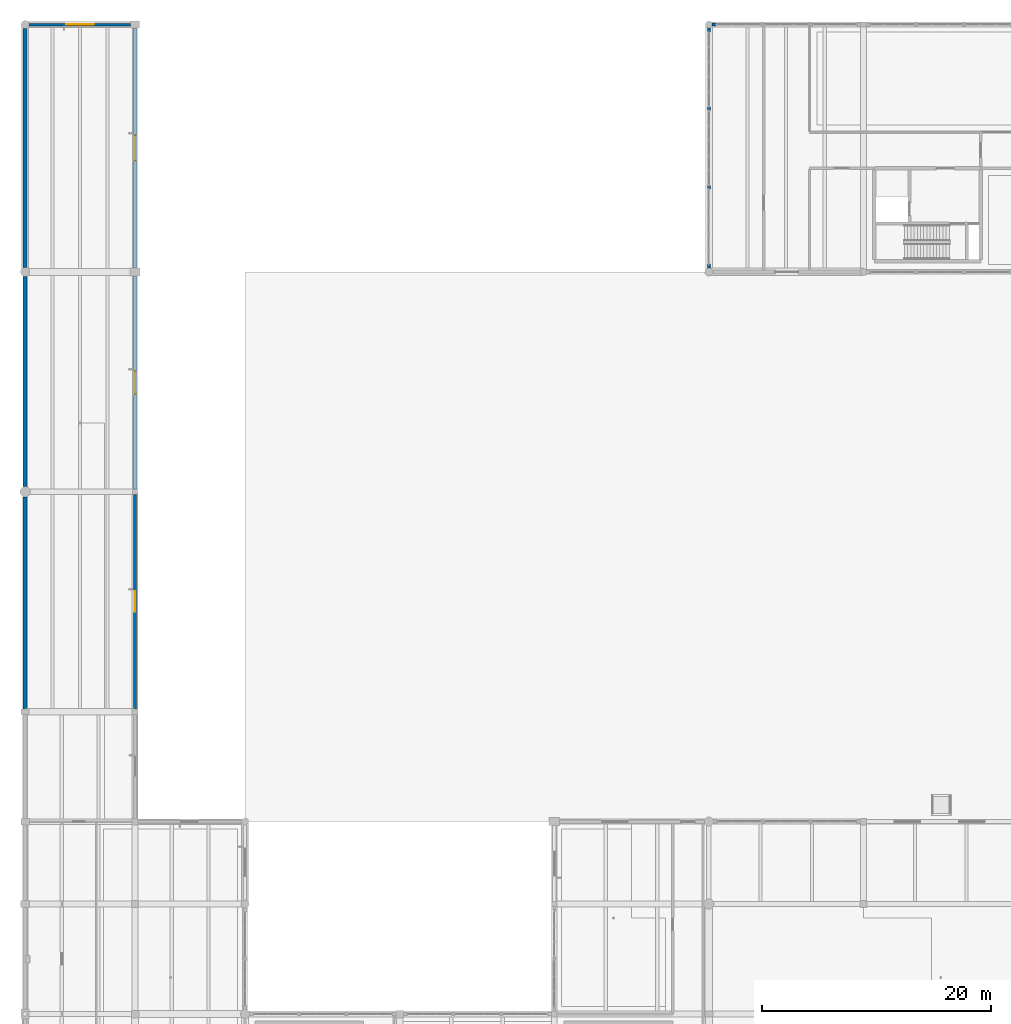
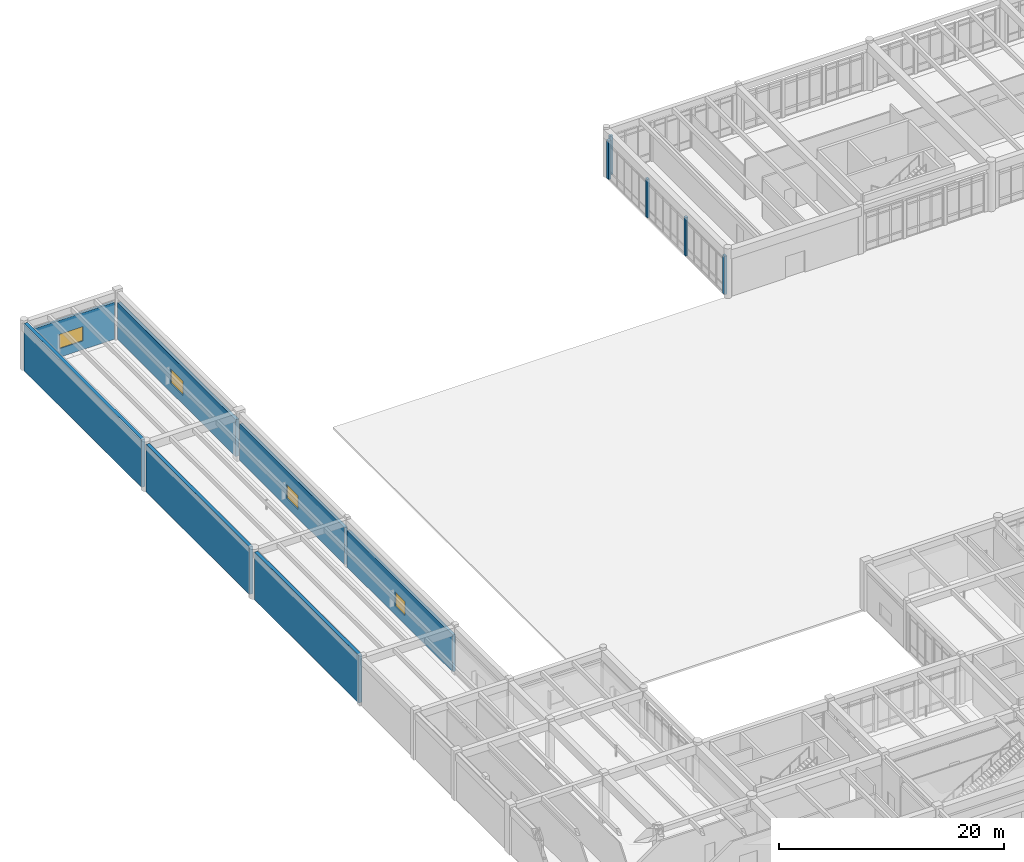
# One storey, part 112 of 138: 12 walls, 4 windows, 4 openings.
"""IFC4 building model written with IfcOpenShell, lengths in metres."""

from ifc_helpers import new_model, si_unit, direction, frame, frame_2d, origin, place, context, subcontext, project, spatial, rectangle, extrude, material, layer, layer_set, type_object, element, fill, save


model = new_model("IFC4")

# Units and contexts
model_context = context("Model", 3, precision=1e-05, world=origin(), true_north=direction((0.0, 1.0)))
body_context = subcontext(model_context, "Body", "Model", "MODEL_VIEW")
ifc_project = project(units=[si_unit("LENGTHUNIT", "METRE"), si_unit("AREAUNIT", "SQUARE_METRE"), si_unit("VOLUMEUNIT", "CUBIC_METRE"), si_unit("PLANEANGLEUNIT", "RADIAN"), si_unit("MASSUNIT", "GRAM", prefix="KILO")], contexts=[model_context])

# Site, building, storey
site_placement = place(None, origin())
site = spatial("IfcSite", under=ifc_project, at=site_placement, CompositionType="ELEMENT")
building_placement = place(site_placement, origin())
building = spatial("IfcBuilding", under=site, at=building_placement, Name="Fikremerkos Civic Library", CompositionType="ELEMENT")
storey_placement = place(building_placement, origin())
storey = spatial("IfcBuildingStorey", under=building, at=storey_placement, Name="L00", CompositionType="ELEMENT", Elevation=0.0)

# Walls
ifc_material_1 = material(Name="Concrete C40/50", Category="concrete")
ifc_layer_1 = layer(ifc_material_1, 0.35009765625, Name="Concrete C40/50")
ifc_layer_set_1 = layer_set([ifc_layer_1], Name="Concrete C40/50")
wall_type_1 = type_object("IfcWallType", Name="Exterior solid wall ESW-01 350", PredefinedType="SOLIDWALL", material=ifc_layer_set_1)
wall_1_placement = place(storey_placement, frame((0.0, 57.847900390625, 0.0), z_axis=(0.0, 0.0, 1.0), x_axis=(0.0, 1.0, 0.0)))
element("IfcWall", 1, at=wall_1_placement, inside=storey, type_object=wall_type_1, Name="Party boundary wall ESW-01 L00 #192", PredefinedType="SOLIDWALL", context=body_context, shape_type="SweptSolid", body=[
    extrude(rectangle(XDim=18.504150390625, YDim=0.35009765625, at=frame_2d((9.251953125, 0.0))), origin(), (0.0, 0.0, 1.0), 5.159912109375),
])
wall_2_placement = place(storey_placement, frame((0.0, 77.248046875, 0.0), z_axis=(0.0, 0.0, 1.0), x_axis=(0.0, 1.0, 0.0)))
element("IfcWall", 2, at=wall_2_placement, inside=storey, type_object=wall_type_1, Name="Party boundary wall ESW-01 L00 #193", PredefinedType="SOLIDWALL", context=body_context, shape_type="SweptSolid", body=[
    extrude(rectangle(XDim=18.35400390625, YDim=0.35009765625, at=frame_2d((9.177001953125, 0.0))), origin(), (0.0, 0.0, 1.0), 5.159912109375),
])
wall_3_placement = place(storey_placement, frame((0.0, 96.39794921875, 0.0), z_axis=(0.0, 0.0, 1.0), x_axis=(0.0, 1.0, 0.0)))
element("IfcWall", 3, at=wall_3_placement, inside=storey, type_object=wall_type_1, Name="Party boundary wall ESW-01 L00 #194", PredefinedType="SOLIDWALL", context=body_context, shape_type="SweptSolid", body=[
    extrude(rectangle(XDim=20.85400390625, YDim=0.35009765625, at=frame_2d((10.427001953125, 0.0))), origin(), (0.0, 0.0, 1.0), 5.159912109375),
])

# Wall, opening, window
ifc_material_2 = material(Name="Precast concrete C40/50", Category="concrete")
ifc_layer_2 = layer(ifc_material_2, 0.320068359375, Name="Precast concrete C40/50")
ifc_layer_set_2 = layer_set([ifc_layer_2], Name="Precast concrete C40/50")
wall_type_2 = type_object("IfcWallType", Name="Exterior solid wall ESW-02 320", PredefinedType="SOLIDWALL", material=ifc_layer_set_2)
wall_4_placement = place(storey_placement, frame((9.60009765625, 117.302001953125, 0.0), z_axis=(0.0, 0.0, 1.0), x_axis=(0.0, -1.0, 0.0)))
wall_4 = element("IfcWall", 4, at=wall_4_placement, inside=storey, type_object=wall_type_2, Name="Exterior solid wall ESW-02 L00 #196", PredefinedType="SOLIDWALL", context=body_context, shape_type="SweptSolid", body=[
    extrude(rectangle(XDim=20.9541015625, YDim=0.320068359375, at=frame_2d((10.47705078125, 0.0))), origin(), (0.0, 0.0, 1.0), 4.010009765625),
])
opening_1_placement = place(wall_4_placement, frame((9.376953125, 0.0, 0.949951171875)))
opening_1 = element("IfcOpeningElement", 5, at=opening_1_placement, cuts=wall_4, Name="Opening CWND-02", PredefinedType="OPENING", context=body_context, shape_type="SweptSolid", body=[
    extrude(rectangle(XDim=2.199951171875, YDim=1.550048828125, at=frame_2d((1.10009765625, 0.77490234375))), frame((0.0, 0.169921875, 0.0), z_axis=(0.0, -1.0, 0.0), x_axis=(1.0, 0.0, 0.0)), (0.0, 0.0, 1.0), 0.340087890625),
])
ifc_material_3 = material(Name="Solar control double glazing", Category="glass")
window_type_1 = type_object("IfcWindowType", Name="Courtyard window CWND-02 2200x1550", PartitioningType="SINGLE_PANEL", PredefinedType="WINDOW", material=ifc_material_3)
window_1_placement = place(opening_1_placement, origin())
window_1 = element("IfcWindow", 6, at=window_1_placement, inside=storey, type_object=window_type_1, Name="Courtyard window CWND-02 L00 #2", OverallHeight=1.550048828125, OverallWidth=2.199951171875, PartitioningType="SINGLE_PANEL", PredefinedType="WINDOW", context=body_context, shape_type="SweptSolid", body=[
    extrude(rectangle(XDim=2.199951171875, YDim=1.550048828125, at=frame_2d((1.10009765625, 0.77490234375))), frame((0.0, 0.032470703125, 0.0), z_axis=(0.0, -1.0, 0.0), x_axis=(1.0, 0.0, 0.0)), (0.0, 0.0, 1.0), 0.06494140625),
])
fill(opening_1, window_1)

ifc_layer_3 = layer(ifc_material_2, 0.300048828125, Name="Precast concrete C40/50")
ifc_layer_set_3 = layer_set([ifc_layer_3], Name="Precast concrete C40/50")
wall_type_3 = type_object("IfcWallType", Name="Exterior solid wall ESW-03 300", PredefinedType="SOLIDWALL", material=ifc_layer_set_3)
wall_5_placement = place(storey_placement, frame((9.60009765625, 95.652099609375, 0.0), z_axis=(0.0, 0.0, 1.0), x_axis=(0.0, -1.0, 0.0)))
wall_5 = element("IfcWall", 7, at=wall_5_placement, inside=storey, type_object=wall_type_3, Name="Exterior solid wall ESW-03 L00 #197", PredefinedType="SOLIDWALL", context=body_context, shape_type="SweptSolid", body=[
    extrude(rectangle(XDim=18.629150390625, YDim=0.300048828125, at=frame_2d((9.314453125, 0.0))), origin(), (0.0, 0.0, 1.0), 4.010009765625),
])
opening_2_placement = place(wall_5_placement, frame((8.314453125, 0.0, 0.949951171875)))
opening_2 = element("IfcOpeningElement", 8, at=opening_2_placement, cuts=wall_5, Name="Opening CWND-03", PredefinedType="OPENING", context=body_context, shape_type="SweptSolid", body=[
    extrude(rectangle(XDim=2.0, YDim=1.550048828125, at=frame_2d((1.0, 0.77490234375))), frame((0.0, 0.159912109375, 0.0), z_axis=(0.0, -1.0, 0.0), x_axis=(1.0, 0.0, 0.0)), (0.0, 0.0, 1.0), 0.320068359375),
])
window_type_2 = type_object("IfcWindowType", Name="Courtyard window CWND-03 2000x1550", PartitioningType="SINGLE_PANEL", PredefinedType="WINDOW", material=ifc_material_3)
window_2_placement = place(opening_2_placement, origin())
window_2 = element("IfcWindow", 9, at=window_2_placement, inside=storey, type_object=window_type_2, Name="Courtyard window CWND-03 L00 #3", OverallHeight=1.550048828125, OverallWidth=2.0, PartitioningType="SINGLE_PANEL", PredefinedType="WINDOW", context=body_context, shape_type="SweptSolid", body=[
    extrude(rectangle(XDim=2.0, YDim=1.550048828125, at=frame_2d((1.0, 0.77490234375))), frame((0.0, 0.032470703125, 0.0), z_axis=(0.0, -1.0, 0.0), x_axis=(1.0, 0.0, 0.0)), (0.0, 0.0, 1.0), 0.06494140625),
])
fill(opening_2, window_2)

ifc_layer_4 = layer(ifc_material_2, 0.280029296875, Name="Precast concrete C40/50")
ifc_layer_set_4 = layer_set([ifc_layer_4], Name="Precast concrete C40/50")
wall_type_4 = type_object("IfcWallType", Name="Exterior solid wall ESW-04 280", PredefinedType="SOLIDWALL", material=ifc_layer_set_4)
wall_6_placement = place(storey_placement, frame((9.60009765625, 76.576904296875, 0.0), z_axis=(0.0, 0.0, 1.0), x_axis=(0.0, -1.0, 0.0)))
wall_6 = element("IfcWall", 10, at=wall_6_placement, inside=storey, type_object=wall_type_4, Name="Exterior solid wall ESW-04 L00 #198", PredefinedType="SOLIDWALL", context=body_context, shape_type="SweptSolid", body=[
    extrude(rectangle(XDim=18.72900390625, YDim=0.280029296875, at=frame_2d((9.364501953125, 0.0))), origin(), (0.0, 0.0, 1.0), 4.010009765625),
])
opening_3_placement = place(wall_6_placement, frame((8.464599609375, 0.0, 0.949951171875)))
opening_3 = element("IfcOpeningElement", 11, at=opening_3_placement, cuts=wall_6, Name="Opening CWND-04", PredefinedType="OPENING", context=body_context, shape_type="SweptSolid", body=[
    extrude(rectangle(XDim=1.800048828125, YDim=1.550048828125, at=frame_2d((0.89990234375, 0.77490234375))), frame((0.0, 0.14990234375, 0.0), z_axis=(0.0, -1.0, 0.0), x_axis=(1.0, 0.0, 0.0)), (0.0, 0.0, 1.0), 0.300048828125),
])
window_type_3 = type_object("IfcWindowType", Name="Courtyard window CWND-04 1800x1550", PartitioningType="SINGLE_PANEL", PredefinedType="WINDOW", material=ifc_material_3)
window_3_placement = place(opening_3_placement, origin())
window_3 = element("IfcWindow", 12, at=window_3_placement, inside=storey, type_object=window_type_3, Name="Courtyard window CWND-04 L00 #4", OverallHeight=1.550048828125, OverallWidth=1.800048828125, PartitioningType="SINGLE_PANEL", PredefinedType="WINDOW", context=body_context, shape_type="SweptSolid", body=[
    extrude(rectangle(XDim=1.800048828125, YDim=1.550048828125, at=frame_2d((0.89990234375, 0.77490234375))), frame((0.0, 0.032470703125, 0.0), z_axis=(0.0, -1.0, 0.0), x_axis=(1.0, 0.0, 0.0)), (0.0, 0.0, 1.0), 0.06494140625),
])
fill(opening_3, window_3)

# Walls
ifc_layer_5 = layer(ifc_material_2, 0.25, Name="Precast concrete C40/50")
ifc_layer_set_5 = layer_set([ifc_layer_5], Name="Precast concrete C40/50")
wall_type_5 = type_object("IfcWallType", Name="Exterior solid wall ESW-05 250", PredefinedType="SOLIDWALL", material=ifc_layer_set_5)
for number, where, z_axis, x_axis, name in (
    (13, (59.699951171875, 96.347900390625, 0.0), (0.0, 0.0, 1.0), (0.0, 1.0, 0.0), "Exterior facade pier ESW-05 #256"),
    (14, (59.699951171875, 116.951904296875, 0.0), (0.0, 0.0, 1.0), (0.0, 1.0, 0.0), "Exterior facade pier ESW-05 #257"),
):
    element("IfcWall", number, at=place(storey_placement, frame(where, z_axis=z_axis, x_axis=x_axis)), inside=storey, type_object=wall_type_5, Name=name, PredefinedType="SOLIDWALL", context=body_context, shape_type="SweptSolid", body=[
        extrude(rectangle(XDim=0.35009765625, YDim=0.25, at=frame_2d((0.175048828125, 0.0))), origin(), (0.0, 0.0, 1.0), 4.169921875),
    ])
for number, where, z_axis, x_axis, name in (
    (15, (59.699951171875, 103.249267578125, 0.0), (0.0, 0.0, 1.0), (0.0, 1.0, 0.0), "Exterior facade mullion pier ESW-05 #258"),
    (16, (59.699951171875, 110.1005859375, 0.0), (0.0, 0.0, 1.0), (0.0, 1.0, 0.0), "Exterior facade mullion pier ESW-05 #259"),
):
    element("IfcWall", number, at=place(storey_placement, frame(where, z_axis=z_axis, x_axis=x_axis)), inside=storey, type_object=wall_type_5, Name=name, PredefinedType="SOLIDWALL", context=body_context, shape_type="SweptSolid", body=[
        extrude(rectangle(XDim=0.300048828125, YDim=0.25, at=frame_2d((0.14990234375, 0.0))), origin(), (0.0, 0.0, 1.0), 4.169921875),
    ])
wall_7_placement = place(storey_placement, frame((59.998046875, 117.60009765625, 0.0), z_axis=(0.0, 0.0, 1.0), x_axis=(1.0, 0.0, 0.0)))
element("IfcWall", 17, at=wall_7_placement, inside=storey, type_object=wall_type_5, Name="Exterior facade pier ESW-05 #260", PredefinedType="SOLIDWALL", context=body_context, shape_type="SweptSolid", body=[
    extrude(rectangle(XDim=0.349853515625, YDim=0.25, at=frame_2d((0.1748046875, 0.0))), origin(), (0.0, 0.0, 1.0), 4.219970703125),
])

# Wall, opening, window
ifc_layer_6 = layer(ifc_material_2, 0.219970703125, Name="Precast concrete C40/50")
ifc_layer_set_6 = layer_set([ifc_layer_6], Name="Precast concrete C40/50")
wall_type_6 = type_object("IfcWallType", Name="Exterior solid wall ESW-06 220", PredefinedType="SOLIDWALL", material=ifc_layer_set_6)
wall_8_placement = place(storey_placement, frame((0.347900390625, 117.60009765625, 0.0), z_axis=(0.0, 0.0, 1.0), x_axis=(1.0, 0.0, 0.0)))
wall_8 = element("IfcWall", 18, at=wall_8_placement, inside=storey, type_object=wall_type_6, Name="Exterior solid wall ESW-06 L00 #195", PredefinedType="SOLIDWALL", context=body_context, shape_type="SweptSolid", body=[
    extrude(rectangle(XDim=8.85400390625, YDim=0.219970703125, at=frame_2d((4.427001953125, 0.0))), origin(), (0.0, 0.0, 1.0), 4.010009765625),
])
opening_4_placement = place(wall_8_placement, frame((3.22705078125, 0.0, 0.949951171875)))
opening_4 = element("IfcOpeningElement", 19, at=opening_4_placement, cuts=wall_8, Name="Opening CWND-01", PredefinedType="OPENING", context=body_context, shape_type="SweptSolid", body=[
    extrude(rectangle(XDim=2.39990234375, YDim=1.550048828125, at=frame_2d((1.199951171875, 0.77490234375))), frame((0.0, 0.119873046875, 0.0), z_axis=(0.0, -1.0, 0.0), x_axis=(1.0, 0.0, 0.0)), (0.0, 0.0, 1.0), 0.239990234375),
])
window_type_4 = type_object("IfcWindowType", Name="Courtyard window CWND-01 2400x1550", PartitioningType="SINGLE_PANEL", PredefinedType="WINDOW", material=ifc_material_3)
window_4_placement = place(opening_4_placement, origin())
window_4 = element("IfcWindow", 20, at=window_4_placement, inside=storey, type_object=window_type_4, Name="Courtyard window CWND-01 L00 #1", OverallHeight=1.550048828125, OverallWidth=2.39990234375, PartitioningType="SINGLE_PANEL", PredefinedType="WINDOW", context=body_context, shape_type="SweptSolid", body=[
    extrude(rectangle(XDim=2.39990234375, YDim=1.550048828125, at=frame_2d((1.199951171875, 0.77490234375))), frame((0.0, 0.032470703125, 0.0), z_axis=(0.0, -1.0, 0.0), x_axis=(1.0, 0.0, 0.0)), (0.0, 0.0, 1.0), 0.06494140625),
])
fill(opening_4, window_4)

save(model, "model.ifc")
